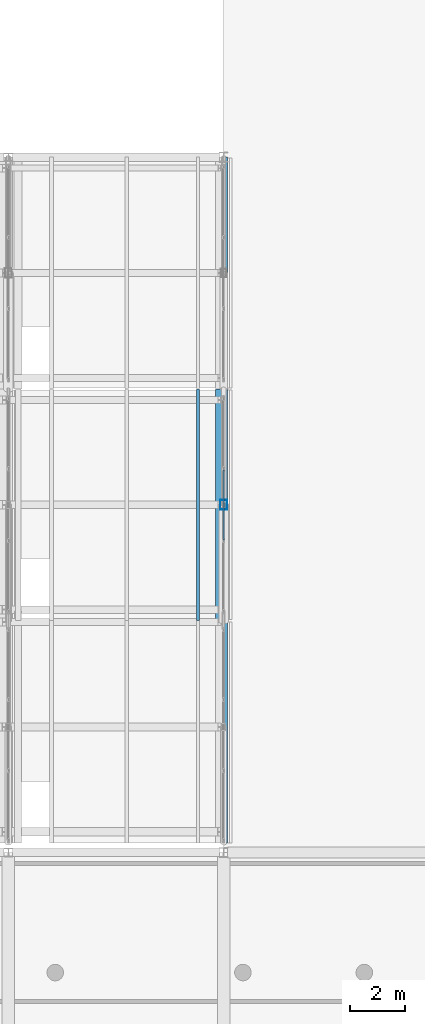
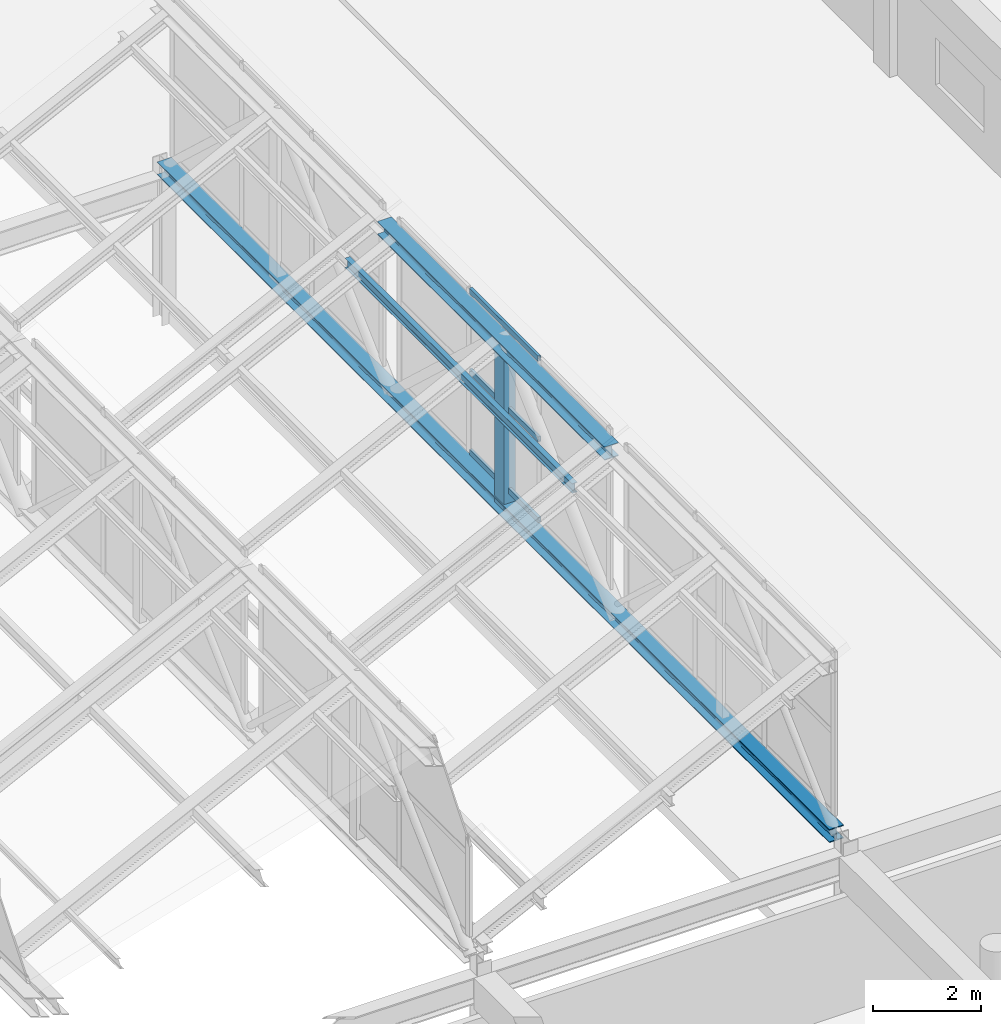
# One storey, part 47 of 101: 7 members, 1 element without a shape of its own.
"""IFC4 building model written with IfcOpenShell, lengths in metres."""

from ifc_helpers import new_model, si_unit, direction, frame, origin, origin_2d, place, context, subcontext, project, spatial, hollow_rectangle, i_section, extrude, material, layer, layer_set, material_profile, profile_set, type_object, element, aggregate, save


model = new_model("IFC4")

# Units and contexts
model_context = context("Model", 3, precision=1e-05, world=origin(), true_north=direction((0.0, 1.0)))
body_context = subcontext(model_context, "Body", "Model", "MODEL_VIEW")
ifc_project = project(units=[si_unit("LENGTHUNIT", "METRE"), si_unit("AREAUNIT", "SQUARE_METRE"), si_unit("VOLUMEUNIT", "CUBIC_METRE"), si_unit("PLANEANGLEUNIT", "RADIAN"), si_unit("MASSUNIT", "GRAM", prefix="KILO")], contexts=[model_context])

# Site, building, storey
site_placement = place(None, origin())
site = spatial("IfcSite", under=ifc_project, at=site_placement, CompositionType="ELEMENT")
building_placement = place(site_placement, origin())
building = spatial("IfcBuilding", under=site, at=building_placement, Name="Zizhar Promenade General Hospital", CompositionType="ELEMENT")
storey_placement = place(building_placement, frame((0.0, 0.0, 14.39990234375)))
storey = spatial("IfcBuildingStorey", under=building, at=storey_placement, Name="L03", CompositionType="ELEMENT", Elevation=14.39990234375)

# Curtain wall, members
ifc_material_1 = material(Name="Anodised aluminium 6063-T6 and low-E glass", Category="aluminium")
ifc_layer = layer(ifc_material_1, 0.159912109375)
ifc_layer_set = layer_set([ifc_layer], Name="Anodised aluminium 6063-T6 and low-E glass")
curtain_wall_type = type_object("IfcCurtainWallType", Name="CW-SAW-NL2", PredefinedType="NOTDEFINED", material=ifc_layer_set)
curtain_wall_placement = place(storey_placement, origin())
curtain_wall = element("IfcCurtainWall", 1, at=curtain_wall_placement, inside=storey, type_object=curtain_wall_type, Name="Sawtooth Clerestory Light B7-S2", PredefinedType="NOTDEFINED")
ifc_material_2 = material(Name="Anodised aluminium 6063-T6", Category="aluminium")
ifc_material_profile_1 = material_profile(ifc_material_2, hollow_rectangle(XDim=0.06005859375, YDim=0.1201171875, WallThickness=0.00390625, at=origin_2d()))
ifc_profile_set_1 = profile_set([ifc_material_profile_1], Name="Anodised aluminium 6063-T6")
member_type_1 = type_object("IfcMemberType", Name="CWT-ALU-120x60", PredefinedType="USERDEFINED", material=ifc_profile_set_1)
member_1_placement = place(storey_placement, frame((124.800048828125, 36.530029296875, 3.880126953125), z_axis=(0.0, 1.0, 0.0), x_axis=(-1.0, 0.0, 0.0)))
member_1 = element("IfcMember", 2, at=member_1_placement, type_object=member_type_1, Name="CW-04 transom 2.1", ObjectType="TRANSOM", PredefinedType="USERDEFINED", context=body_context, shape_type="SweptSolid", body=[
    extrude(hollow_rectangle(XDim=0.06005859375, YDim=0.1201171875, WallThickness=0.00390625, at=origin_2d()), origin(), (0.0, 0.0, 1.0), 2.5400390625),
])
member_2_placement = place(storey_placement, frame((124.800048828125, 36.530029296875, 5.7001953125), z_axis=(0.0, 1.0, 0.0), x_axis=(-1.0, 0.0, 0.0)))
member_2 = element("IfcMember", 3, at=member_2_placement, type_object=member_type_1, Name="CW-04 transom 2.2", ObjectType="TRANSOM", PredefinedType="USERDEFINED", context=body_context, shape_type="SweptSolid", body=[
    extrude(hollow_rectangle(XDim=0.06005859375, YDim=0.1201171875, WallThickness=0.00390625, at=origin_2d()), origin(), (0.0, 0.0, 1.0), 2.5400390625),
])
member_3_placement = place(storey_placement, frame((124.800048828125, 36.530029296875, 7.52001953125), z_axis=(0.0, 1.0, 0.0), x_axis=(-1.0, 0.0, 0.0)))
member_3 = element("IfcMember", 4, at=member_3_placement, type_object=member_type_1, Name="CW-04 transom 2.3", ObjectType="TRANSOM", PredefinedType="USERDEFINED", context=body_context, shape_type="SweptSolid", body=[
    extrude(hollow_rectangle(XDim=0.06005859375, YDim=0.1201171875, WallThickness=0.00390625, at=origin_2d()), origin(), (0.0, 0.0, 1.0), 2.5400390625),
])
aggregate(curtain_wall, [member_1, member_2, member_3])

# Members
ifc_material_3 = material(Name="Steel S355", Category="steel")
ifc_material_profile_2 = material_profile(ifc_material_3, i_section(OverallWidth=0.300048828125, OverallDepth=0.300048828125, WebThickness=0.010986328125, FlangeThickness=0.01904296875, FilletRadius=0.027099609375, at=origin_2d()))
ifc_profile_set_2 = profile_set([ifc_material_profile_2], Name="Steel S355")
member_type_2 = type_object("IfcMemberType", Name="MEM-CHORD-HEB300", PredefinedType="CHORD", material=ifc_profile_set_2)
member_4_placement = place(storey_placement, frame((124.800048828125, 25.550048828125, 3.4501953125), z_axis=(0.0, 1.0, 0.0), x_axis=(-1.0, 0.0, 0.0)))
element("IfcMember", 5, at=member_4_placement, inside=storey, type_object=member_type_2, Name="Sawtooth Truss Frame 8 Bottom Chord", PredefinedType="CHORD", context=body_context, shape_type="SweptSolid", body=[
    extrude(i_section(OverallWidth=0.300048828125, OverallDepth=0.300048828125, WebThickness=0.010986328125, FlangeThickness=0.01904296875, FilletRadius=0.027099609375, at=origin_2d()), origin(), (0.0, 0.0, 1.0), 24.849853515625),
])
member_5_placement = place(storey_placement, frame((124.64990234375, 33.60009765625, 7.25), z_axis=(0.0, 1.0, 0.0), x_axis=(-1.0, 0.0, 0.0)))
element("IfcMember", 6, at=member_5_placement, inside=storey, type_object=member_type_2, Name="Sawtooth Bay 7 Ridge Chord 2", PredefinedType="CHORD", context=body_context, shape_type="SweptSolid", body=[
    extrude(i_section(OverallWidth=0.300048828125, OverallDepth=0.300048828125, WebThickness=0.010986328125, FlangeThickness=0.01904296875, FilletRadius=0.027099609375, at=origin_2d()), origin(), (0.0, 0.0, 1.0), 8.39990234375),
])
ifc_material_4 = material(Name="Steel S355", Category="steel")
ifc_material_profile_3 = material_profile(ifc_material_4, i_section(OverallWidth=0.110107421875, OverallDepth=0.219970703125, WebThickness=0.005859375, FlangeThickness=0.00927734375, FilletRadius=0.011962890625, at=origin_2d()))
ifc_profile_set_3 = profile_set([ifc_material_profile_3], Name="Steel S355")
member_type_3 = type_object("IfcMemberType", Name="MEM-PURL-IPE220", PredefinedType="PURLIN", material=ifc_profile_set_3)
member_6_placement = place(storey_placement, frame((123.864013671875, 33.60009765625, 6.705078125), z_axis=(0.0, 1.0, 0.0), x_axis=(-1.0, 0.0, 0.0)))
element("IfcMember", 7, at=member_6_placement, inside=storey, type_object=member_type_3, Name="Sawtooth Bay 7 Purlin 2-3", PredefinedType="PURLIN", context=body_context, shape_type="SweptSolid", body=[
    extrude(i_section(OverallWidth=0.110107421875, OverallDepth=0.219970703125, WebThickness=0.005859375, FlangeThickness=0.00927734375, FilletRadius=0.011962890625, at=origin_2d()), origin(), (0.0, 0.0, 1.0), 8.39990234375),
])
ifc_material_5 = material(Name="Steel S355", Category="steel")
ifc_material_profile_4 = material_profile(ifc_material_5, hollow_rectangle(XDim=0.25, YDim=0.35009765625, WallThickness=0.010009765625, at=origin_2d()))
ifc_profile_set_4 = profile_set([ifc_material_profile_4], Name="Steel S355")
member_type_4 = type_object("IfcMemberType", Name="MEM-STRUT-RHS350", PredefinedType="STRUT", material=ifc_profile_set_4)
member_7_placement = place(storey_placement, frame((124.800048828125, 37.800048828125, 3.4501953125), z_axis=(0.0, 0.0, 1.0), x_axis=(1.0, 0.0, 0.0)))
element("IfcMember", 8, at=member_7_placement, inside=storey, type_object=member_type_4, Name="Sawtooth Truss Frame 8 Vertical Post 2", PredefinedType="STRUT", context=body_context, shape_type="SweptSolid", body=[
    extrude(hollow_rectangle(XDim=0.25, YDim=0.35009765625, WallThickness=0.010009765625, at=origin_2d()), origin(), (0.0, 0.0, 1.0), 3.89990234375),
])

save(model, "model.ifc")
